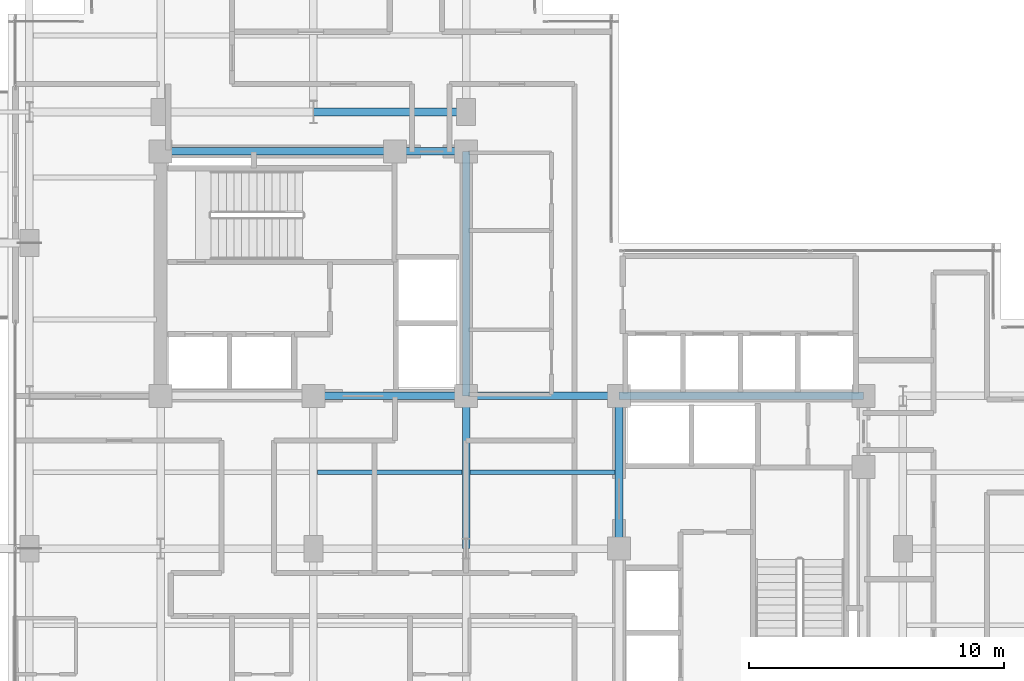
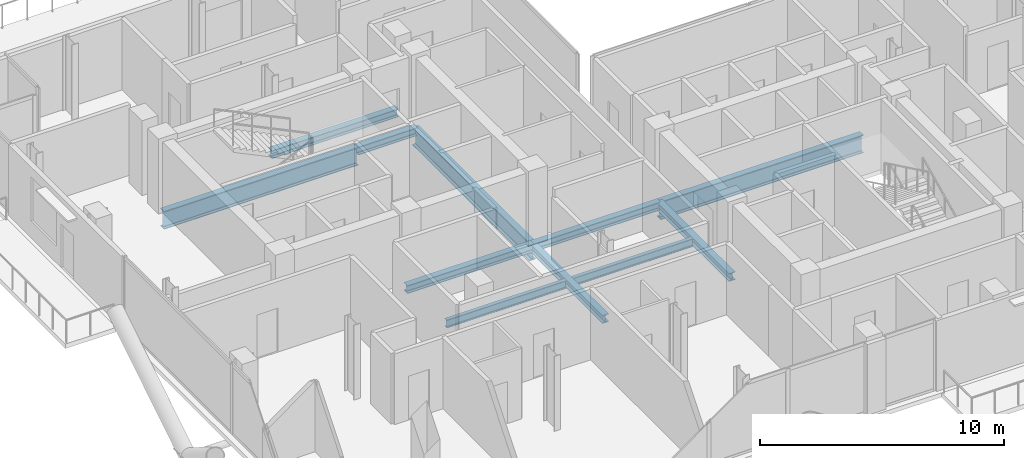
# One storey, part 9 of 28: 11 beams.
"""IFC4 building model written with IfcOpenShell, lengths in metres."""

import ifcopenshell
import ifcopenshell.guid

model = None  # the IFC model being written
_history = None  # IfcOwnerHistory: only IFC2X3 demands one
_inside = {}  # id of a spatial element -> (the spatial element, [elements in it])
_under = {}  # id of a project, library or spatial element -> (it, [spatial elements below it])
_declared = {}  # id of a project -> (the project, [libraries it declares])
_typed = {}  # id of a type object -> (the type object, [elements of that type])
_made_of = {}  # id of a material, layer set ... -> (it, [elements and type objects made of it])


def new_model(schema):
    """Start an empty IFC model of exactly this schema.

    Asked for "IFC4X3", IfcOpenShell would pick the latest addendum, in which some entities
    have other attributes; the version numbers below select the first issue.
    IFC2X3 requires an IfcOwnerHistory on every rooted entity: one is made here for all.
    """
    global model, _history
    if schema == "IFC4X3":
        model = ifcopenshell.file(schema_version=(4, 3, 0, 0))
    else:
        model = ifcopenshell.file(schema=schema)
    _inside.clear()
    _under.clear()
    _declared.clear()
    _typed.clear()
    _made_of.clear()
    _history = None
    if model.schema == "IFC2X3":
        org = make("IfcOrganization", Name="unknown")
        user = make(
            "IfcPersonAndOrganization",
            ThePerson=make("IfcPerson", FamilyName="unknown"),
            TheOrganization=org,
        )
        app = make(
            "IfcApplication",
            ApplicationDeveloper=org,
            Version="unknown",
            ApplicationFullName="unknown",
            ApplicationIdentifier="unknown",
        )
        _history = make(
            "IfcOwnerHistory",
            OwningUser=user,
            OwningApplication=app,
            ChangeAction="ADDED",
            CreationDate=0,
        )
    return model


def make(cls, **values):
    """One entity of the class cls with the attributes given. An attribute that is None is left unset."""
    return model.create_entity(
        cls, **{name: value for name, value in values.items() if value is not None}
    )


def rooted(cls, **values):
    """An entity with a GlobalId (a new one), such as an element, a storey or a relation."""
    return make(cls, GlobalId=ifcopenshell.guid.new(), OwnerHistory=_history, **values)


def si_unit(unit_type, name, prefix=None):
    """IfcSIUnit, for example si_unit("LENGTHUNIT", "METRE", prefix="MILLI")."""
    return make("IfcSIUnit", UnitType=unit_type, Prefix=prefix, Name=name)


def assignment(units):
    """IfcUnitAssignment: the units of a project."""
    return None if units is None else make("IfcUnitAssignment", Units=units)


def point(xyz):
    """IfcCartesianPoint."""
    return None if xyz is None else make("IfcCartesianPoint", Coordinates=xyz)


def direction(xyz):
    """IfcDirection."""
    return None if xyz is None else make("IfcDirection", DirectionRatios=xyz)


def frame(location, z_axis=None, x_axis=None):
    """IfcAxis2Placement3D, a coordinate frame: its origin and axes. An axis left out is left unset."""
    return make(
        "IfcAxis2Placement3D",
        Location=point(location),
        Axis=direction(z_axis),
        RefDirection=direction(x_axis),
    )


def frame_2d(location, x_axis=None):
    """IfcAxis2Placement2D, a coordinate frame in the plane: its origin and x axis."""
    return make(
        "IfcAxis2Placement2D", Location=point(location), RefDirection=direction(x_axis)
    )


def origin():
    """The frame at (0, 0, 0) with its axes left unset."""
    return frame((0.0, 0.0, 0.0))


def origin_2d():
    """The frame at (0, 0) in the plane with its x axis left unset."""
    return frame_2d((0.0, 0.0))


def place(relative_to, where):
    """IfcLocalPlacement: puts the frame where relative to a parent placement (None: the world)."""
    return make(
        "IfcLocalPlacement", PlacementRelTo=relative_to, RelativePlacement=where
    )


def context(
    kind, dimensions, precision=None, world=None, true_north=None, identifier=None
):
    """IfcGeometricRepresentationContext, for example the 3D "Model" context."""
    return make(
        "IfcGeometricRepresentationContext",
        ContextIdentifier=identifier,
        ContextType=kind,
        CoordinateSpaceDimension=dimensions,
        Precision=precision,
        WorldCoordinateSystem=world,
        TrueNorth=true_north,
    )


def subcontext(parent, identifier, kind, view, scale=None):
    """IfcGeometricRepresentationSubContext, for example "Body" below "Model"."""
    return make(
        "IfcGeometricRepresentationSubContext",
        ContextIdentifier=identifier,
        ContextType=kind,
        ParentContext=parent,
        TargetScale=scale,
        TargetView=view,
    )


def project(units=None, contexts=None):
    """IfcProject with its units and contexts."""
    return rooted(
        "IfcProject",
        Name="project",
        RepresentationContexts=contexts,
        UnitsInContext=assignment(units),
    )


def spatial(cls, under=None, at=None, **own):
    """A site, building, storey or space (cls), placed at a placement, below another one or the project."""
    s = rooted(cls, ObjectPlacement=at, **own)
    if under is not None:
        _under.setdefault(under.id(), (under, []))[1].append(s)
    return s


def profile(cls, at=None, kind="AREA", **sizes):
    """A parametric profile (cls). Its sizes go by their IFC names, for example OverallWidth=200.0."""
    return make(cls, ProfileType=kind, Position=at, **sizes)


def i_section(**sizes):
    """IfcIShapeProfileDef."""
    return profile("IfcIShapeProfileDef", **sizes)


def extrude(swept, where, along, depth):
    """IfcExtrudedAreaSolid: the profile swept, set in the frame where, extruded along a direction by depth."""
    return make(
        "IfcExtrudedAreaSolid",
        SweptArea=swept,
        Position=where,
        ExtrudedDirection=direction(along),
        Depth=depth,
    )


def shape(context_of_items, identifier, shape_type, items):
    """IfcShapeRepresentation: the items that make up one representation, for example the "Body"."""
    return make(
        "IfcShapeRepresentation",
        ContextOfItems=context_of_items,
        RepresentationIdentifier=identifier,
        RepresentationType=shape_type,
        Items=items,
    )


def material(Name=None, Category=None):
    """IfcMaterial."""
    return make("IfcMaterial", Name=Name, Category=Category)


def material_profile(
    of_material, cross_section, Name=None, Category=None, Priority=None
):
    """IfcMaterialProfile: a cross section and its material."""
    return make(
        "IfcMaterialProfile",
        Name=Name,
        Material=of_material,
        Profile=cross_section,
        Priority=Priority,
        Category=Category,
    )


def profile_set(profiles, Name=None, composite=None):
    """IfcMaterialProfileSet."""
    return make(
        "IfcMaterialProfileSet",
        Name=Name,
        MaterialProfiles=profiles,
        CompositeProfile=composite,
    )


def made_of(thing, what):
    """Note that an element or type object is made of a material, layer set ...; save() writes the relation."""
    if what is not None:
        _made_of.setdefault(what.id(), (what, []))[1].append(thing)
    return thing


def type_object(cls, material=None, **own):
    """A type object (cls), such as IfcWallType, which elements share."""
    return made_of(rooted(cls, **own), material)


def element(
    cls,
    number,
    at=None,
    inside=None,
    cuts=None,
    type_object=None,
    material=None,
    context=None,
    identifier="Body",
    shape_type=None,
    held_by="IfcProductDefinitionShape",
    body=None,
    shapes=None,
    **own,
):
    """One element of the class cls, such as IfcWall. Its Tag is "e" and its number.

    at: its placement. inside: the storey or other place that contains it. cuts: it is an
    opening in that element (IfcRelVoidsElement). A single representation is given by context,
    identifier, shape_type and body (its items); several are given by shapes. held_by: the class
    of the entity that holds the representations. save() writes the other relations.
    """
    e = rooted(cls, Tag="e%d" % number, ObjectPlacement=at, **own)
    if body is not None:
        shapes = [shape(context, identifier, shape_type, body)]
    if shapes is not None:
        e.Representation = make(held_by, Representations=shapes)
    if inside is not None:
        _inside.setdefault(inside.id(), (inside, []))[1].append(e)
    if cuts is not None:
        rooted(
            "IfcRelVoidsElement", RelatingBuildingElement=cuts, RelatedOpeningElement=e
        )
    if type_object is not None:
        _typed.setdefault(type_object.id(), (type_object, []))[1].append(e)
    return made_of(e, material)


def aggregate(whole, parts):
    """IfcRelAggregates: a whole, such as a stair, and the parts it consists of."""
    return rooted("IfcRelAggregates", RelatingObject=whole, RelatedObjects=parts)


def save(model, path):
    """Write the relations noted so far, then the file.

    IfcRelAggregates (storeys below a building ...), IfcRelContainedInSpatialStructure (elements
    in a storey), IfcRelDefinesByType, IfcRelAssociatesMaterial and IfcRelDeclares: one each for
    every whole, place, type object, material and project.
    """
    for whole, parts in _under.values():
        aggregate(whole, parts)
    for where, things in _inside.values():
        rooted(
            "IfcRelContainedInSpatialStructure",
            RelatedElements=things,
            RelatingStructure=where,
        )
    for kind, things in _typed.values():
        rooted("IfcRelDefinesByType", RelatedObjects=things, RelatingType=kind)
    for what, things in _made_of.values():
        rooted("IfcRelAssociatesMaterial", RelatedObjects=things, RelatingMaterial=what)
    for by, libraries in _declared.values():
        rooted("IfcRelDeclares", RelatingContext=by, RelatedDefinitions=libraries)
    model.write(path)


model = new_model("IFC4")

# Units and contexts
model_context = context("Model", 3, precision=1e-05, world=origin(), true_north=direction((0.0, 1.0)))
body_context = subcontext(model_context, "Body", "Model", "MODEL_VIEW")
ifc_project = project(units=[si_unit("LENGTHUNIT", "METRE"), si_unit("AREAUNIT", "SQUARE_METRE"), si_unit("VOLUMEUNIT", "CUBIC_METRE"), si_unit("PLANEANGLEUNIT", "RADIAN"), si_unit("MASSUNIT", "GRAM", prefix="KILO"), si_unit("THERMODYNAMICTEMPERATUREUNIT", "KELVIN"), si_unit("POWERUNIT", "WATT")], contexts=[model_context])

# Site, building, storey
site_placement = place(None, origin())
site = spatial("IfcSite", under=ifc_project, at=site_placement, CompositionType="ELEMENT")
building_placement = place(site_placement, origin())
building = spatial("IfcBuilding", under=site, at=building_placement, Name="Svarakhadi Broadcast Tower", CompositionType="ELEMENT")
storey_placement = place(building_placement, frame((0.0, 0.0, 169.199951171875)))
storey = spatial("IfcBuildingStorey", under=building, at=storey_placement, Name="L41", CompositionType="ELEMENT", Elevation=169.199951171875)

# Beams
ifc_material_1 = material(Name="Steel S355J2 (IS 2062 E350C)", Category="steel")
ifc_material_profile_1 = material_profile(ifc_material_1, i_section(OverallWidth=0.179931640625, OverallDepth=0.39990234375, WebThickness=0.008544921875, FlangeThickness=0.013427734375, FilletRadius=0.02099609375, at=origin_2d()), Name="NPB 400x180x66")
ifc_profile_set_1 = profile_set([ifc_material_profile_1], Name="Steel S355J2 (IS 2062 E350C)")
beam_type_1 = type_object("IfcBeamType", Name="Beam_NPB400", PredefinedType="BEAM", material=ifc_profile_set_1)
for number, where, z_axis, x_axis, name in (
    (1, (12.159912109375, 15.0, -0.409912109375), (1.0, 0.0, 0.0), (0.0, 1.0, 0.0), "L41 Secondary Composite Beam SB012"),
    (2, (18.159912109375, 15.0, -0.409912109375), (1.0, 0.0, 0.0), (0.0, 1.0, 0.0), "L41 Secondary Composite Beam SB016"),
):
    element("IfcBeam", number, at=place(storey_placement, frame(where, z_axis=z_axis, x_axis=x_axis)), inside=storey, type_object=beam_type_1, Name=name, PredefinedType="BEAM", context=body_context, shape_type="SweptSolid", body=[
        extrude(i_section(OverallWidth=0.179931640625, OverallDepth=0.39990234375, WebThickness=0.008544921875, FlangeThickness=0.013427734375, FilletRadius=0.02099609375, at=origin_2d()), origin(), (0.0, 0.0, 1.0), 5.68017578125),
    ])
ifc_material_profile_2 = material_profile(ifc_material_1, i_section(OverallWidth=0.300048828125, OverallDepth=0.39990234375, WebThickness=0.013427734375, FlangeThickness=0.02392578125, FilletRadius=0.027099609375, at=origin_2d()), Name="WPB 400x300x155")
ifc_profile_set_2 = profile_set([ifc_material_profile_2], Name="Steel S355J2 (IS 2062 E350C)")
beam_type_2 = type_object("IfcBeamType", Name="Girder_WPB400", PredefinedType="USERDEFINED", material=ifc_profile_set_2)
for number, where, z_axis, x_axis, name in (
    (3, (12.0, 18.0, -0.409912109375), (1.0, 0.0, 0.0), (0.0, 1.0, 0.0), "L41 Primary E-W Girder G023"),
    (4, (18.0, 18.0, -0.409912109375), (1.0, 0.0, 0.0), (0.0, 1.0, 0.0), "L41 Primary E-W Girder G024"),
):
    element("IfcBeam", number, at=place(storey_placement, frame(where, z_axis=z_axis, x_axis=x_axis)), inside=storey, type_object=beam_type_2, Name=name, ObjectType="GIRDER", PredefinedType="USERDEFINED", context=body_context, shape_type="SweptSolid", body=[
        extrude(i_section(OverallWidth=0.300048828125, OverallDepth=0.39990234375, WebThickness=0.013427734375, FlangeThickness=0.02392578125, FilletRadius=0.027099609375, at=origin_2d()), origin(), (0.0, 0.0, 1.0), 6.0),
    ])
beam_1_placement = place(storey_placement, frame((15.199951171875, 27.60009765625, -0.409912109375), z_axis=(1.0, 0.0, 0.0), x_axis=(0.0, 1.0, 0.0)))
element("IfcBeam", 5, at=beam_1_placement, inside=storey, type_object=beam_type_2, Name="L41 Primary E-W Girder G028", ObjectType="GIRDER", PredefinedType="USERDEFINED", context=body_context, shape_type="SweptSolid", body=[
    extrude(i_section(OverallWidth=0.300048828125, OverallDepth=0.39990234375, WebThickness=0.013427734375, FlangeThickness=0.02392578125, FilletRadius=0.027099609375, at=origin_2d()), origin(), (0.0, 0.0, 1.0), 2.800048828125),
])
for number, where, z_axis, x_axis, name in (
    (6, (12.0, 29.14990234375, -0.409912109375), (1.0, 0.0, 0.0), (0.0, 1.0, 0.0), "L41 Primary E-W Girder G031"),
    (7, (18.0, 12.0, -0.409912109375), (0.0, 1.0, 0.0), (-1.0, 0.0, 0.0), "L41 Primary N-S Girder G051"),
    (8, (24.0, 12.0, -0.409912109375), (0.0, 1.0, 0.0), (-1.0, 0.0, 0.0), "L41 Primary N-S Girder G056"),
):
    element("IfcBeam", number, at=place(storey_placement, frame(where, z_axis=z_axis, x_axis=x_axis)), inside=storey, type_object=beam_type_2, Name=name, ObjectType="GIRDER", PredefinedType="USERDEFINED", context=body_context, shape_type="SweptSolid", body=[
        extrude(i_section(OverallWidth=0.300048828125, OverallDepth=0.39990234375, WebThickness=0.013427734375, FlangeThickness=0.02392578125, FilletRadius=0.027099609375, at=origin_2d()), origin(), (0.0, 0.0, 1.0), 6.0),
    ])
ifc_material_2 = material(Name="Steel S460ML (IS 2062 E450BR)", Category="steel")
ifc_material_profile_3 = material_profile(ifc_material_2, i_section(OverallWidth=0.300048828125, OverallDepth=0.89990234375, WebThickness=0.0185546875, FlangeThickness=0.034912109375, FilletRadius=0.030029296875, at=origin_2d()), Name="WPB 900x300x291")
ifc_profile_set_3 = profile_set([ifc_material_profile_3], Name="Steel S460ML (IS 2062 E450BR)")
beam_type_3 = type_object("IfcBeamType", Name="Girder_WPB900", PredefinedType="USERDEFINED", material=ifc_profile_set_3)
beam_2_placement = place(storey_placement, frame((24.0, 18.0, -0.659912109375), z_axis=(1.0, 0.0, 0.0), x_axis=(0.0, 1.0, 0.0)))
element("IfcBeam", 9, at=beam_2_placement, inside=storey, type_object=beam_type_3, Name="L41 Primary E-W Girder G025", ObjectType="GIRDER", PredefinedType="USERDEFINED", context=body_context, shape_type="SweptSolid", body=[
    extrude(i_section(OverallWidth=0.300048828125, OverallDepth=0.89990234375, WebThickness=0.0185546875, FlangeThickness=0.034912109375, FilletRadius=0.030029296875, at=origin_2d()), origin(), (0.0, 0.0, 1.0), 9.60009765625),
])
beam_3_placement = place(storey_placement, frame((6.0, 27.60009765625, -0.659912109375), z_axis=(1.0, 0.0, 0.0), x_axis=(0.0, 1.0, 0.0)))
element("IfcBeam", 10, at=beam_3_placement, inside=storey, type_object=beam_type_3, Name="L41 Primary E-W Girder G027", ObjectType="GIRDER", PredefinedType="USERDEFINED", context=body_context, shape_type="SweptSolid", body=[
    extrude(i_section(OverallWidth=0.300048828125, OverallDepth=0.89990234375, WebThickness=0.0185546875, FlangeThickness=0.034912109375, FilletRadius=0.030029296875, at=origin_2d()), origin(), (0.0, 0.0, 1.0), 9.199951171875),
])
beam_4_placement = place(storey_placement, frame((18.0, 18.0, -0.659912109375), z_axis=(0.0, 1.0, 0.0), x_axis=(-1.0, 0.0, 0.0)))
element("IfcBeam", 11, at=beam_4_placement, inside=storey, type_object=beam_type_3, Name="L41 Primary N-S Girder G052", ObjectType="GIRDER", PredefinedType="USERDEFINED", context=body_context, shape_type="SweptSolid", body=[
    extrude(i_section(OverallWidth=0.300048828125, OverallDepth=0.89990234375, WebThickness=0.0185546875, FlangeThickness=0.034912109375, FilletRadius=0.030029296875, at=origin_2d()), origin(), (0.0, 0.0, 1.0), 9.60009765625),
])

save(model, "model.ifc")
